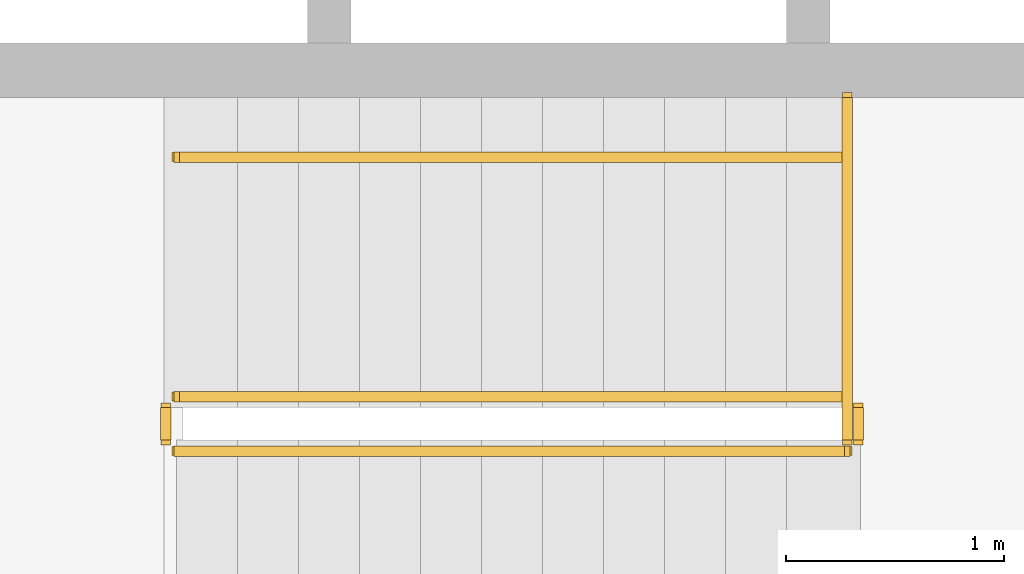
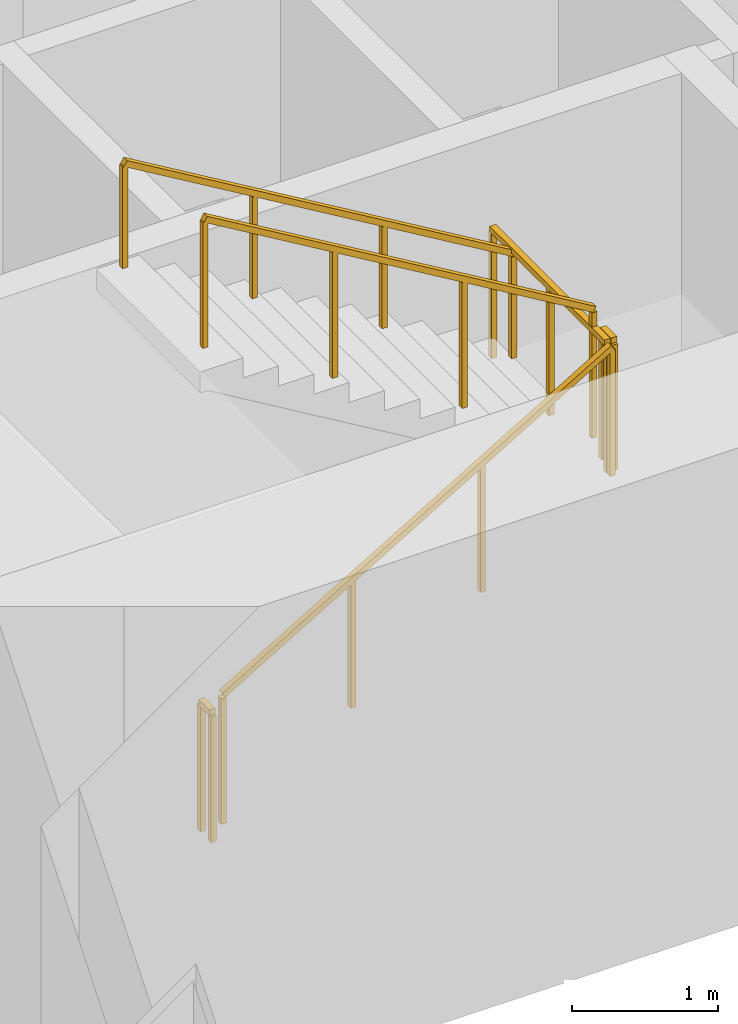
# One storey, part 13 of 16: 6 railings.
"""IFC4 building model written with IfcOpenShell, lengths in metres."""

from ifc_helpers import new_model, si_unit, direction, frame, origin, origin_2d, place, context, subcontext, project, spatial, rectangle, extrude, material, type_object, element, save


model = new_model("IFC4")

# Units and contexts
model_context = context("Model", 3, precision=1e-05, world=origin(), true_north=direction((0.0, 1.0)))
body_context = subcontext(model_context, "Body", "Model", "MODEL_VIEW")
ifc_project = project(units=[si_unit("LENGTHUNIT", "METRE"), si_unit("AREAUNIT", "SQUARE_METRE"), si_unit("VOLUMEUNIT", "CUBIC_METRE"), si_unit("PLANEANGLEUNIT", "RADIAN"), si_unit("MASSUNIT", "GRAM", prefix="KILO")], contexts=[model_context])

# Site, building, storey
site_placement = place(None, origin())
site = spatial("IfcSite", under=ifc_project, at=site_placement, CompositionType="ELEMENT")
building_placement = place(site_placement, origin())
building = spatial("IfcBuilding", under=site, at=building_placement, Name="Sennacour Bend Tower", CompositionType="ELEMENT")
storey_placement = place(building_placement, frame((0.0, 0.0, 115.0)))
storey = spatial("IfcBuildingStorey", under=building, at=storey_placement, Name="L26", CompositionType="ELEMENT", Elevation=115.0)

# Railings
ifc_material = material(Name="Stainless steel", Category="steel")
railing_type_1 = type_object("IfcRailingType", Name="RL-GUARD-1100", PredefinedType="GUARDRAIL", material=ifc_material)
railing_1_placement = place(storey_placement, frame((56.699951171875, 2.449951171875, 0.166748046875)))
element("IfcRailing", 1, at=railing_1_placement, inside=storey, type_object=railing_type_1, Name="L26 SA1 stair guard 1", PredefinedType="GUARDRAIL", context=body_context, shape_type="SweptSolid", body=[
    extrude(rectangle(XDim=0.048095703125, YDim=0.048095703125, at=origin_2d()), frame((0.0, 0.0, 1.076171875), z_axis=(0.859308565015, 0.0, 0.511457515432), x_axis=(0.0, 1.0, 0.0)), (0.0, 0.0, 1.0), 3.58447265625),
    extrude(rectangle(XDim=0.0419921875, YDim=0.0419921875, at=origin_2d()), origin(), (0.0, 0.0, 1.0), 1.052001953125),
    extrude(rectangle(XDim=0.0419921875, YDim=0.0419921875, at=origin_2d()), frame((1.026611328125, 0.0, 0.611083984375)), (0.0, 0.0, 1.0), 1.052001953125),
    extrude(rectangle(XDim=0.0419921875, YDim=0.0419921875, at=origin_2d()), frame((2.053466796875, 0.0, 1.22216796875)), (0.0, 0.0, 1.0), 1.052001953125),
    extrude(rectangle(XDim=0.0419921875, YDim=0.0419921875, at=origin_2d()), frame((3.080078125, 0.0, 1.833251953125)), (0.0, 0.0, 1.0), 1.052001953125),
])
railing_2_placement = place(storey_placement, frame((59.830078125, 2.5, 2.0)))
element("IfcRailing", 2, at=railing_2_placement, inside=storey, type_object=railing_type_1, Name="L26 SA1 stair guard 2", PredefinedType="GUARDRAIL", context=body_context, shape_type="SweptSolid", body=[
    extrude(rectangle(XDim=0.048095703125, YDim=0.048095703125, at=origin_2d()), frame((0.0, 0.0, 1.076171875), z_axis=(0.0, 1.0, 0.0), x_axis=(-1.0, 0.0, 0.0)), (0.0, 0.0, 1.0), 0.14990234375),
    extrude(rectangle(XDim=0.0419921875, YDim=0.0419921875, at=origin_2d()), origin(), (0.0, 0.0, 1.0), 1.052001953125),
    extrude(rectangle(XDim=0.0419921875, YDim=0.0419921875, at=origin_2d()), frame((0.0, 0.14990234375, 0.0)), (0.0, 0.0, 1.0), 1.052001953125),
])
railing_3_placement = place(storey_placement, frame((59.780029296875, 2.699951171875, 2.166748046875)))
element("IfcRailing", 3, at=railing_3_placement, inside=storey, type_object=railing_type_1, Name="L26 SA1 stair guard 4", PredefinedType="GUARDRAIL", context=body_context, shape_type="SweptSolid", body=[
    extrude(rectangle(XDim=0.048095703125, YDim=0.048095703125, at=origin_2d()), frame((0.0, 0.0, 1.076171875), z_axis=(-0.859308565015, 0.0, 0.511457515432), x_axis=(0.0, -1.0, 0.0)), (0.0, 0.0, 1.0), 3.58447265625),
    extrude(rectangle(XDim=0.0419921875, YDim=0.0419921875, at=origin_2d()), origin(), (0.0, 0.0, 1.0), 1.052001953125),
    extrude(rectangle(XDim=0.0419921875, YDim=0.0419921875, at=origin_2d()), frame((-1.026611328125, 0.0, 0.611083984375)), (0.0, 0.0, 1.0), 1.052001953125),
    extrude(rectangle(XDim=0.0419921875, YDim=0.0419921875, at=origin_2d()), frame((-2.053466796875, 0.0, 1.22216796875)), (0.0, 0.0, 1.0), 1.052001953125),
    extrude(rectangle(XDim=0.0419921875, YDim=0.0419921875, at=origin_2d()), frame((-3.080078125, 0.0, 1.833251953125)), (0.0, 0.0, 1.0), 1.052001953125),
])
railing_4_placement = place(storey_placement, frame((56.64990234375, 2.5, 0.0)))
element("IfcRailing", 4, at=railing_4_placement, inside=storey, type_object=railing_type_1, Name="L26 SA1 stair guard 5", PredefinedType="GUARDRAIL", context=body_context, shape_type="SweptSolid", body=[
    extrude(rectangle(XDim=0.048095703125, YDim=0.048095703125, at=origin_2d()), frame((0.0, 0.0, 1.076171875), z_axis=(0.0, 1.0, 0.0), x_axis=(-1.0, 0.0, 0.0)), (0.0, 0.0, 1.0), 0.14990234375),
    extrude(rectangle(XDim=0.0419921875, YDim=0.0419921875, at=origin_2d()), origin(), (0.0, 0.0, 1.0), 1.052001953125),
    extrude(rectangle(XDim=0.0419921875, YDim=0.0419921875, at=origin_2d()), frame((0.0, 0.14990234375, 0.0)), (0.0, 0.0, 1.0), 1.052001953125),
])
railing_5_placement = place(storey_placement, frame((59.780029296875, 2.5, 2.0)))
element("IfcRailing", 5, at=railing_5_placement, inside=storey, type_object=railing_type_1, Name="L26 SA1 landing edge guard 44", PredefinedType="GUARDRAIL", context=body_context, shape_type="SweptSolid", body=[
    extrude(rectangle(XDim=0.048095703125, YDim=0.048095703125, at=origin_2d()), frame((0.0, 0.0, 1.076171875), z_axis=(0.0, 1.0, 0.0), x_axis=(-1.0, 0.0, 0.0)), (0.0, 0.0, 1.0), 1.574951171875),
    extrude(rectangle(XDim=0.0419921875, YDim=0.0419921875, at=origin_2d()), origin(), (0.0, 0.0, 1.0), 1.052001953125),
    extrude(rectangle(XDim=0.0419921875, YDim=0.0419921875, at=origin_2d()), frame((0.0, 0.78759765625, 0.0)), (0.0, 0.0, 1.0), 1.052001953125),
    extrude(rectangle(XDim=0.0419921875, YDim=0.0419921875, at=origin_2d()), frame((0.0, 1.574951171875, 0.0)), (0.0, 0.0, 1.0), 1.052001953125),
])
railing_type_2 = type_object("IfcRailingType", Name="RL-HANDRAIL-900", PredefinedType="HANDRAIL", material=ifc_material)
railing_6_placement = place(storey_placement, frame((59.780029296875, 3.800048828125, 2.166748046875)))
element("IfcRailing", 6, at=railing_6_placement, inside=storey, type_object=railing_type_2, Name="L26 SA1 stair handrail 2", PredefinedType="HANDRAIL", context=body_context, shape_type="SweptSolid", body=[
    extrude(rectangle(XDim=0.048095703125, YDim=0.048095703125, at=origin_2d()), frame((0.0, 0.0, 0.8759765625), z_axis=(-0.859308565015, 0.0, 0.511457515432), x_axis=(0.0, -1.0, 0.0)), (0.0, 0.0, 1.0), 3.58447265625),
    extrude(rectangle(XDim=0.0419921875, YDim=0.0419921875, at=origin_2d()), origin(), (0.0, 0.0, 1.0), 0.851806640625),
    extrude(rectangle(XDim=0.0419921875, YDim=0.0419921875, at=origin_2d()), frame((-1.026611328125, 0.0, 0.611083984375)), (0.0, 0.0, 1.0), 0.851806640625),
    extrude(rectangle(XDim=0.0419921875, YDim=0.0419921875, at=origin_2d()), frame((-2.053466796875, 0.0, 1.22216796875)), (0.0, 0.0, 1.0), 0.851806640625),
    extrude(rectangle(XDim=0.0419921875, YDim=0.0419921875, at=origin_2d()), frame((-3.080078125, 0.0, 1.833251953125)), (0.0, 0.0, 1.0), 0.851806640625),
])

save(model, "model.ifc")
